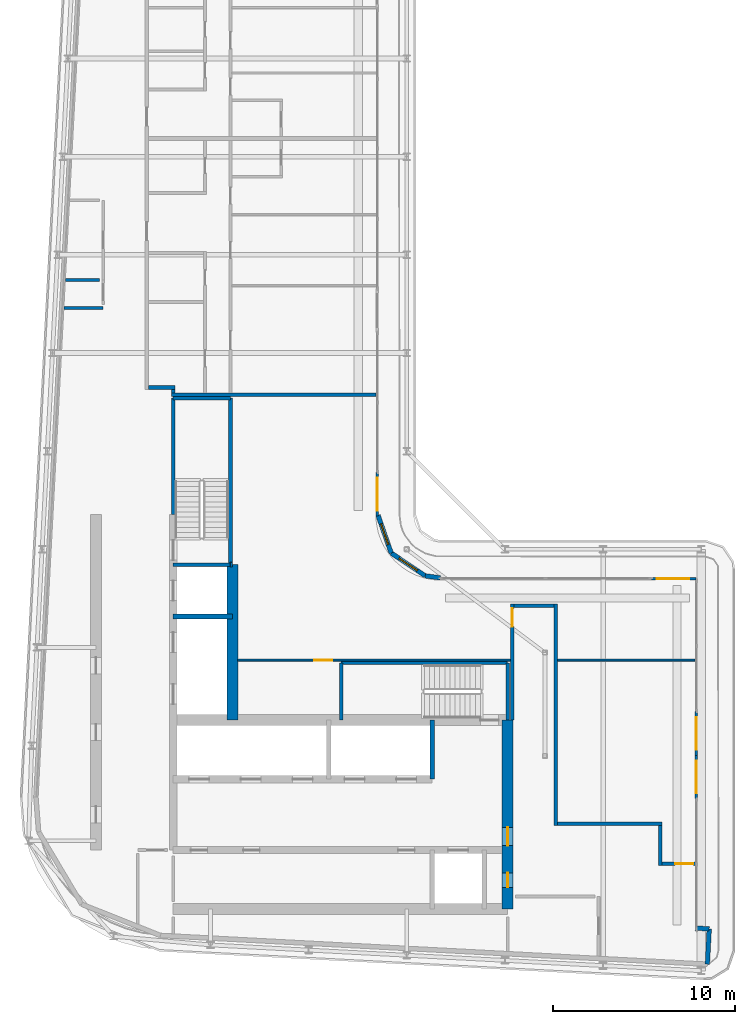
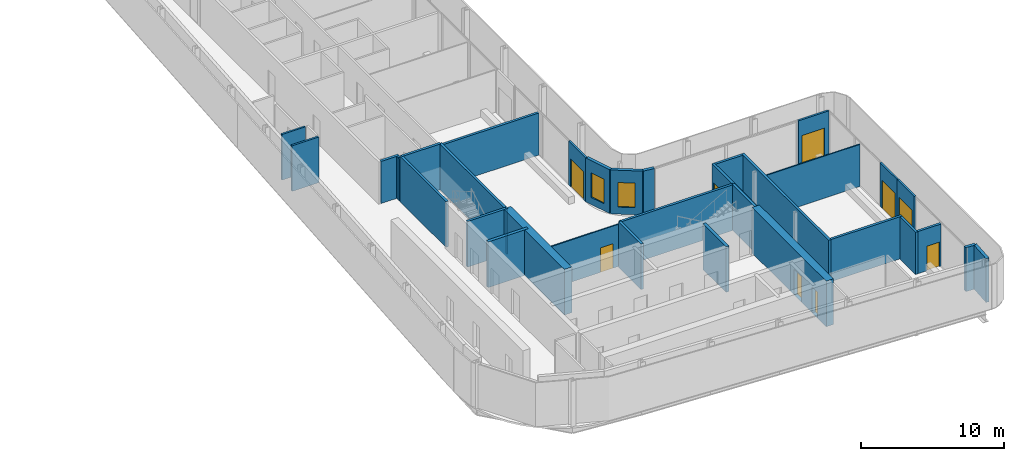
# One storey, part 12 of 21: 34 walls, 9 doors, 2 windows, 11 openings.
"""IFC4 building model written with IfcOpenShell, lengths in metres."""

import ifcopenshell
import ifcopenshell.guid

model = None  # the IFC model being written
_history = None  # IfcOwnerHistory: only IFC2X3 demands one
_inside = {}  # id of a spatial element -> (the spatial element, [elements in it])
_under = {}  # id of a project, library or spatial element -> (it, [spatial elements below it])
_declared = {}  # id of a project -> (the project, [libraries it declares])
_typed = {}  # id of a type object -> (the type object, [elements of that type])
_made_of = {}  # id of a material, layer set ... -> (it, [elements and type objects made of it])


def new_model(schema):
    """Start an empty IFC model of exactly this schema.

    Asked for "IFC4X3", IfcOpenShell would pick the latest addendum, in which some entities
    have other attributes; the version numbers below select the first issue.
    IFC2X3 requires an IfcOwnerHistory on every rooted entity: one is made here for all.
    """
    global model, _history
    if schema == "IFC4X3":
        model = ifcopenshell.file(schema_version=(4, 3, 0, 0))
    else:
        model = ifcopenshell.file(schema=schema)
    _inside.clear()
    _under.clear()
    _declared.clear()
    _typed.clear()
    _made_of.clear()
    _history = None
    if model.schema == "IFC2X3":
        org = make("IfcOrganization", Name="unknown")
        user = make(
            "IfcPersonAndOrganization",
            ThePerson=make("IfcPerson", FamilyName="unknown"),
            TheOrganization=org,
        )
        app = make(
            "IfcApplication",
            ApplicationDeveloper=org,
            Version="unknown",
            ApplicationFullName="unknown",
            ApplicationIdentifier="unknown",
        )
        _history = make(
            "IfcOwnerHistory",
            OwningUser=user,
            OwningApplication=app,
            ChangeAction="ADDED",
            CreationDate=0,
        )
    return model


def make(cls, **values):
    """One entity of the class cls with the attributes given. An attribute that is None is left unset."""
    return model.create_entity(
        cls, **{name: value for name, value in values.items() if value is not None}
    )


def rooted(cls, **values):
    """An entity with a GlobalId (a new one), such as an element, a storey or a relation."""
    return make(cls, GlobalId=ifcopenshell.guid.new(), OwnerHistory=_history, **values)


def si_unit(unit_type, name, prefix=None):
    """IfcSIUnit, for example si_unit("LENGTHUNIT", "METRE", prefix="MILLI")."""
    return make("IfcSIUnit", UnitType=unit_type, Prefix=prefix, Name=name)


def assignment(units):
    """IfcUnitAssignment: the units of a project."""
    return None if units is None else make("IfcUnitAssignment", Units=units)


def point(xyz):
    """IfcCartesianPoint."""
    return None if xyz is None else make("IfcCartesianPoint", Coordinates=xyz)


def direction(xyz):
    """IfcDirection."""
    return None if xyz is None else make("IfcDirection", DirectionRatios=xyz)


def frame(location, z_axis=None, x_axis=None):
    """IfcAxis2Placement3D, a coordinate frame: its origin and axes. An axis left out is left unset."""
    return make(
        "IfcAxis2Placement3D",
        Location=point(location),
        Axis=direction(z_axis),
        RefDirection=direction(x_axis),
    )


def frame_2d(location, x_axis=None):
    """IfcAxis2Placement2D, a coordinate frame in the plane: its origin and x axis."""
    return make(
        "IfcAxis2Placement2D", Location=point(location), RefDirection=direction(x_axis)
    )


def origin():
    """The frame at (0, 0, 0) with its axes left unset."""
    return frame((0.0, 0.0, 0.0))


def place(relative_to, where):
    """IfcLocalPlacement: puts the frame where relative to a parent placement (None: the world)."""
    return make(
        "IfcLocalPlacement", PlacementRelTo=relative_to, RelativePlacement=where
    )


def context(
    kind, dimensions, precision=None, world=None, true_north=None, identifier=None
):
    """IfcGeometricRepresentationContext, for example the 3D "Model" context."""
    return make(
        "IfcGeometricRepresentationContext",
        ContextIdentifier=identifier,
        ContextType=kind,
        CoordinateSpaceDimension=dimensions,
        Precision=precision,
        WorldCoordinateSystem=world,
        TrueNorth=true_north,
    )


def subcontext(parent, identifier, kind, view, scale=None):
    """IfcGeometricRepresentationSubContext, for example "Body" below "Model"."""
    return make(
        "IfcGeometricRepresentationSubContext",
        ContextIdentifier=identifier,
        ContextType=kind,
        ParentContext=parent,
        TargetScale=scale,
        TargetView=view,
    )


def project(units=None, contexts=None):
    """IfcProject with its units and contexts."""
    return rooted(
        "IfcProject",
        Name="project",
        RepresentationContexts=contexts,
        UnitsInContext=assignment(units),
    )


def spatial(cls, under=None, at=None, **own):
    """A site, building, storey or space (cls), placed at a placement, below another one or the project."""
    s = rooted(cls, ObjectPlacement=at, **own)
    if under is not None:
        _under.setdefault(under.id(), (under, []))[1].append(s)
    return s


def profile(cls, at=None, kind="AREA", **sizes):
    """A parametric profile (cls). Its sizes go by their IFC names, for example OverallWidth=200.0."""
    return make(cls, ProfileType=kind, Position=at, **sizes)


def rectangle(**sizes):
    """IfcRectangleProfileDef."""
    return profile("IfcRectangleProfileDef", **sizes)


def extrude(swept, where, along, depth):
    """IfcExtrudedAreaSolid: the profile swept, set in the frame where, extruded along a direction by depth."""
    return make(
        "IfcExtrudedAreaSolid",
        SweptArea=swept,
        Position=where,
        ExtrudedDirection=direction(along),
        Depth=depth,
    )


def shape(context_of_items, identifier, shape_type, items):
    """IfcShapeRepresentation: the items that make up one representation, for example the "Body"."""
    return make(
        "IfcShapeRepresentation",
        ContextOfItems=context_of_items,
        RepresentationIdentifier=identifier,
        RepresentationType=shape_type,
        Items=items,
    )


def source(mapping_origin, context_of_items, identifier, shape_type, items):
    """IfcRepresentationMap: a shape defined once, which mapped items show again and again."""
    return make(
        "IfcRepresentationMap",
        MappingOrigin=mapping_origin,
        MappedRepresentation=shape(context_of_items, identifier, shape_type, items),
    )


def transform(
    local_origin,
    x_axis=None,
    y_axis=None,
    z_axis=None,
    scale=None,
    scale2=None,
    scale3=None,
    uniform=True,
):
    """IfcCartesianTransformationOperator3D, or its non-uniform kind. x_axis, y_axis, z_axis: its Axis1, 2, 3."""
    if uniform:
        return make(
            "IfcCartesianTransformationOperator3D",
            Axis1=direction(x_axis),
            Axis2=direction(y_axis),
            LocalOrigin=point(local_origin),
            Scale=scale,
            Axis3=direction(z_axis),
        )
    return make(
        "IfcCartesianTransformationOperator3DnonUniform",
        Axis1=direction(x_axis),
        Axis2=direction(y_axis),
        LocalOrigin=point(local_origin),
        Scale=scale,
        Axis3=direction(z_axis),
        Scale2=scale2,
        Scale3=scale3,
    )


def mapped(mapping_source, mapping_target):
    """IfcMappedItem: shows the shape of a source again, moved by a transform."""
    return make(
        "IfcMappedItem", MappingSource=mapping_source, MappingTarget=mapping_target
    )


def material(Name=None, Category=None):
    """IfcMaterial."""
    return make("IfcMaterial", Name=Name, Category=Category)


def layer(
    of_material, thickness, ventilated=None, Name=None, Category=None, Priority=None
):
    """IfcMaterialLayer: one layer of a wall or slab, of a material (None: an air gap)."""
    return make(
        "IfcMaterialLayer",
        Material=of_material,
        LayerThickness=thickness,
        IsVentilated=ventilated,
        Name=Name,
        Category=Category,
        Priority=Priority,
    )


def layer_set(layers, Name=None):
    """IfcMaterialLayerSet."""
    return make("IfcMaterialLayerSet", MaterialLayers=layers, LayerSetName=Name)


def made_of(thing, what):
    """Note that an element or type object is made of a material, layer set ...; save() writes the relation."""
    if what is not None:
        _made_of.setdefault(what.id(), (what, []))[1].append(thing)
    return thing


def type_object(cls, material=None, **own):
    """A type object (cls), such as IfcWallType, which elements share."""
    return made_of(rooted(cls, **own), material)


def element(
    cls,
    number,
    at=None,
    inside=None,
    cuts=None,
    type_object=None,
    material=None,
    context=None,
    identifier="Body",
    shape_type=None,
    held_by="IfcProductDefinitionShape",
    body=None,
    shapes=None,
    **own,
):
    """One element of the class cls, such as IfcWall. Its Tag is "e" and its number.

    at: its placement. inside: the storey or other place that contains it. cuts: it is an
    opening in that element (IfcRelVoidsElement). A single representation is given by context,
    identifier, shape_type and body (its items); several are given by shapes. held_by: the class
    of the entity that holds the representations. save() writes the other relations.
    """
    e = rooted(cls, Tag="e%d" % number, ObjectPlacement=at, **own)
    if body is not None:
        shapes = [shape(context, identifier, shape_type, body)]
    if shapes is not None:
        e.Representation = make(held_by, Representations=shapes)
    if inside is not None:
        _inside.setdefault(inside.id(), (inside, []))[1].append(e)
    if cuts is not None:
        rooted(
            "IfcRelVoidsElement", RelatingBuildingElement=cuts, RelatedOpeningElement=e
        )
    if type_object is not None:
        _typed.setdefault(type_object.id(), (type_object, []))[1].append(e)
    return made_of(e, material)


def fill(opening, filler):
    """IfcRelFillsElement: the door or window that sits in an opening."""
    return rooted(
        "IfcRelFillsElement",
        RelatingOpeningElement=opening,
        RelatedBuildingElement=filler,
    )


def aggregate(whole, parts):
    """IfcRelAggregates: a whole, such as a stair, and the parts it consists of."""
    return rooted("IfcRelAggregates", RelatingObject=whole, RelatedObjects=parts)


def save(model, path):
    """Write the relations noted so far, then the file.

    IfcRelAggregates (storeys below a building ...), IfcRelContainedInSpatialStructure (elements
    in a storey), IfcRelDefinesByType, IfcRelAssociatesMaterial and IfcRelDeclares: one each for
    every whole, place, type object, material and project.
    """
    for whole, parts in _under.values():
        aggregate(whole, parts)
    for where, things in _inside.values():
        rooted(
            "IfcRelContainedInSpatialStructure",
            RelatedElements=things,
            RelatingStructure=where,
        )
    for kind, things in _typed.values():
        rooted("IfcRelDefinesByType", RelatedObjects=things, RelatingType=kind)
    for what, things in _made_of.values():
        rooted("IfcRelAssociatesMaterial", RelatedObjects=things, RelatingMaterial=what)
    for by, libraries in _declared.values():
        rooted("IfcRelDeclares", RelatingContext=by, RelatedDefinitions=libraries)
    model.write(path)


model = new_model("IFC4")

# Units and contexts
model_context = context("Model", 3, precision=1e-05, world=origin(), true_north=direction((0.0, 1.0)))
body_context = subcontext(model_context, "Body", "Model", "MODEL_VIEW")
ifc_project = project(units=[si_unit("LENGTHUNIT", "METRE"), si_unit("AREAUNIT", "SQUARE_METRE"), si_unit("VOLUMEUNIT", "CUBIC_METRE"), si_unit("PLANEANGLEUNIT", "RADIAN"), si_unit("MASSUNIT", "GRAM", prefix="KILO")], contexts=[model_context])

# Site, building, storey
site_placement = place(None, origin())
site = spatial("IfcSite", under=ifc_project, at=site_placement, CompositionType="ELEMENT")
building_placement = place(site_placement, origin())
building = spatial("IfcBuilding", under=site, at=building_placement, Name="Kheshtan School and Residences Tower", CompositionType="ELEMENT")
storey_placement = place(building_placement, frame((0.0, 0.0, 282.5)))
storey = spatial("IfcBuildingStorey", under=building, at=storey_placement, Name="L66", CompositionType="ELEMENT", Elevation=282.5)

# Wall
ifc_material_1 = material(Name="Concrete C60/75", Category="concrete")
ifc_layer_1 = layer(ifc_material_1, 0.60009765625)
ifc_layer_set_1 = layer_set([ifc_layer_1], Name="Core wall 600 Concrete C60/75")
wall_type_1 = type_object("IfcWallType", Name="Core wall 600 Concrete C60/75", PredefinedType="SHEAR", material=ifc_layer_set_1)
wall_1_placement = place(storey_placement, frame((38.0, 36.199951171875, 0.0), z_axis=(0.0, 0.0, 1.0), x_axis=(0.0, 1.0, 0.0)))
element("IfcWall", 1, at=wall_1_placement, inside=storey, type_object=wall_type_1, Name="Core wall CW-FRONT-W", PredefinedType="SHEAR", context=body_context, shape_type="SweptSolid", body=[
    extrude(rectangle(XDim=8.550048828125, YDim=0.60009765625, at=frame_2d((4.27490234375, 0.0))), origin(), (0.0, 0.0, 1.0), 3.89990234375),
])

# Wall, openings, doors
wall_2_placement = place(storey_placement, frame((53.14990234375, 25.800048828125, 0.0), z_axis=(0.0, 0.0, 1.0), x_axis=(0.0, 1.0, 0.0)))
wall_2 = element("IfcWall", 2, at=wall_2_placement, inside=storey, type_object=wall_type_1, Name="Core wall CW-EAST", PredefinedType="SHEAR", context=body_context, shape_type="SweptSolid", body=[
    extrude(rectangle(XDim=10.39990234375, YDim=0.60009765625, at=frame_2d((5.199951171875, 0.0))), origin(), (0.0, 0.0, 1.0), 3.89990234375),
])
opening_1_placement = place(wall_2_placement, frame((1.197021484375, 0.0, 0.0)))
opening_1 = element("IfcOpeningElement", 3, at=opening_1_placement, cuts=wall_2, Name="Opening SR80", PredefinedType="OPENING", context=body_context, shape_type="SweptSolid", body=[
    extrude(rectangle(XDim=0.800048828125, YDim=2.199951171875, at=frame_2d((0.39990234375, 1.10009765625))), frame((0.0, 0.31005859375, 0.0), z_axis=(0.0, -1.0, 0.0), x_axis=(1.0, 0.0, 0.0)), (0.0, 0.0, 1.0), 0.6201171875),
])
opening_2_placement = place(wall_2_placement, frame((3.5, 0.0, 0.0)))
opening_2 = element("IfcOpeningElement", 4, at=opening_2_placement, cuts=wall_2, Name="Opening SD91", PredefinedType="OPENING", context=body_context, shape_type="SweptSolid", body=[
    extrude(rectangle(XDim=1.0, YDim=2.199951171875, at=frame_2d((0.5, 1.10009765625))), frame((0.0, 0.31005859375, 0.0), z_axis=(0.0, -1.0, 0.0), x_axis=(1.0, 0.0, 0.0)), (0.0, 0.0, 1.0), 0.6201171875),
])
ifc_material_2 = material(Name="Steel door leaf, galvanised", Category="steel")
door_type_1 = type_object("IfcDoorType", Name="Service room door 800 steel 90 min", OperationType="SINGLE_SWING_LEFT", PredefinedType="DOOR", material=ifc_material_2)
shared_shape_1 = source(origin(), body_context, "Body", "SweptSolid", [
    extrude(rectangle(XDim=0.800048828125, YDim=2.199951171875, at=frame_2d((0.39990234375, 1.10009765625))), frame((0.0, 0.02490234375, 0.0), z_axis=(0.0, -1.0, 0.0), x_axis=(1.0, 0.0, 0.0)), (0.0, 0.0, 1.0), 0.050048828125),
])
door_1_placement = place(opening_1_placement, origin())
door_1 = element("IfcDoor", 5, at=door_1_placement, inside=storey, type_object=door_type_1, Name="Service room door", OperationType="SINGLE_SWING_LEFT", OverallHeight=2.199951171875, OverallWidth=0.800048828125, PredefinedType="DOOR", context=body_context, shape_type="MappedRepresentation", body=[
    mapped(shared_shape_1, transform((0.0, 0.0, 0.0), x_axis=(1.0, 0.0, 0.0), y_axis=(0.0, 1.0, 0.0), z_axis=(0.0, 0.0, 1.0), scale=1.0)),
])
fill(opening_1, door_1)
door_type_2 = type_object("IfcDoorType", Name="Firefighting lobby door 1000 steel 90 min", OperationType="SINGLE_SWING_LEFT", PredefinedType="DOOR", material=ifc_material_2)
shared_shape_2 = source(origin(), body_context, "Body", "SweptSolid", [
    extrude(rectangle(XDim=1.0, YDim=2.199951171875, at=frame_2d((0.5, 1.10009765625))), frame((0.0, 0.02490234375, 0.0), z_axis=(0.0, -1.0, 0.0), x_axis=(1.0, 0.0, 0.0)), (0.0, 0.0, 1.0), 0.050048828125),
])
door_2_placement = place(opening_2_placement, origin())
door_2 = element("IfcDoor", 6, at=door_2_placement, inside=storey, type_object=door_type_2, Name="Firefighting lobby door", OperationType="SINGLE_SWING_LEFT", OverallHeight=2.199951171875, OverallWidth=1.0, PredefinedType="DOOR", context=body_context, shape_type="MappedRepresentation", body=[
    mapped(shared_shape_2, transform((0.0, 0.0, 0.0), x_axis=(1.0, 0.0, 0.0), y_axis=(0.0, 1.0, 0.0), z_axis=(0.0, 0.0, 1.0), scale=1.0)),
])
fill(opening_2, door_2)

# Walls
ifc_material_3 = material(Name="Gypsum board on steel studs with fire boards", Category="steel")
ifc_layer_2 = layer(ifc_material_3, 0.199951171875)
ifc_layer_set_2 = layer_set([ifc_layer_2], Name="Corridor wall 200")
wall_type_2 = type_object("IfcWallType", Name="Corridor wall 200", PredefinedType="PARTITIONING", material=ifc_layer_set_2)
wall_3_placement = place(storey_placement, frame((33.39990234375, 54.5, 0.0), z_axis=(0.0, 0.0, 1.0), x_axis=(1.0, 0.0, 0.0)))
element("IfcWall", 7, at=wall_3_placement, inside=storey, type_object=wall_type_2, Name="Partition L66-005", PredefinedType="PARTITIONING", context=body_context, shape_type="SweptSolid", body=[
    extrude(rectangle(XDim=1.4501953125, YDim=0.199951171875, at=frame_2d((0.72509765625, 0.0))), origin(), (0.0, 0.0, 1.0), 3.60009765625),
])
wall_4_placement = place(storey_placement, frame((34.75, 54.199951171875, 0.0), z_axis=(0.0, 0.0, 1.0), x_axis=(0.0, 1.0, 0.0)))
element("IfcWall", 8, at=wall_4_placement, inside=storey, type_object=wall_type_2, Name="Partition L66-017", PredefinedType="PARTITIONING", context=body_context, shape_type="SweptSolid", body=[
    extrude(rectangle(XDim=0.199951171875, YDim=0.199951171875, at=frame_2d((0.10009765625, 0.0))), origin(), (0.0, 0.0, 1.0), 3.60009765625),
])

# Wall, opening, door
wall_5_placement = place(storey_placement, frame((53.39990234375, 36.198974609375, 0.0), z_axis=(0.0, 0.0, 1.0), x_axis=(0.0, 1.0, 0.0)))
wall_5 = element("IfcWall", 9, at=wall_5_placement, inside=storey, type_object=wall_type_2, Name="Partition L66-039", PredefinedType="PARTITIONING", context=body_context, shape_type="SweptSolid", body=[
    extrude(rectangle(XDim=6.401123046875, YDim=0.199951171875, at=frame_2d((3.20068359375, 0.0))), origin(), (0.0, 0.0, 1.0), 3.60009765625),
])
opening_3_placement = place(wall_5_placement, frame((5.15087890625, 0.0, 0.0)))
opening_3 = element("IfcOpeningElement", 10, at=opening_3_placement, cuts=wall_5, Name="Opening D66-029", PredefinedType="OPENING", context=body_context, shape_type="SweptSolid", body=[
    extrude(rectangle(XDim=1.0, YDim=2.10009765625, at=frame_2d((0.5, 1.050048828125))), frame((0.0, 0.10986328125, 0.0), z_axis=(0.0, -1.0, 0.0), x_axis=(1.0, 0.0, 0.0)), (0.0, 0.0, 1.0), 0.219970703125),
])
ifc_material_4 = material(Name="Steel-framed fire-resisting door leaf", Category="steel")
door_type_3 = type_object("IfcDoorType", Name="Fire door FD60 1000 x 2100", OperationType="SINGLE_SWING_LEFT", PredefinedType="DOOR", material=ifc_material_4)
shared_shape_3 = source(origin(), body_context, "Body", "SweptSolid", [
    extrude(rectangle(XDim=1.0, YDim=2.10009765625, at=frame_2d((0.5, 1.050048828125))), frame((0.0, 0.02490234375, 0.0), z_axis=(0.0, -1.0, 0.0), x_axis=(1.0, 0.0, 0.0)), (0.0, 0.0, 1.0), 0.050048828125),
])
door_3_placement = place(opening_3_placement, origin())
door_3 = element("IfcDoor", 11, at=door_3_placement, inside=storey, type_object=door_type_3, Name="Door D66-029", OperationType="SINGLE_SWING_RIGHT", OverallHeight=2.10009765625, OverallWidth=1.0, PredefinedType="DOOR", context=body_context, shape_type="MappedRepresentation", body=[
    mapped(shared_shape_3, transform((0.0, 0.0, 0.0), x_axis=(1.0, 0.0, 0.0), y_axis=(0.0, 1.0, 0.0), z_axis=(0.0, 0.0, 1.0), scale=1.0)),
])
fill(opening_3, door_3)

# Walls
wall_6_placement = place(storey_placement, frame((53.5, 42.5, 0.0), z_axis=(0.0, 0.0, 1.0), x_axis=(1.0, 0.0, 0.0)))
element("IfcWall", 12, at=wall_6_placement, inside=storey, type_object=wall_type_2, Name="Partition L66-040", PredefinedType="PARTITIONING", context=body_context, shape_type="SweptSolid", body=[
    extrude(rectangle(XDim=2.199951171875, YDim=0.199951171875, at=frame_2d((1.10009765625, 0.0))), origin(), (0.0, 0.0, 1.0), 3.60009765625),
])
wall_7_placement = place(storey_placement, frame((55.800048828125, 30.39990234375, 0.0), z_axis=(0.0, 0.0, 1.0), x_axis=(0.0, 1.0, 0.0)))
element("IfcWall", 13, at=wall_7_placement, inside=storey, type_object=wall_type_2, Name="Partition L66-041", PredefinedType="PARTITIONING", context=body_context, shape_type="SweptSolid", body=[
    extrude(rectangle(XDim=12.2001953125, YDim=0.199951171875, at=frame_2d((6.10009765625, 0.0))), origin(), (0.0, 0.0, 1.0), 3.60009765625),
])
wall_8_placement = place(storey_placement, frame((55.89990234375, 30.5, 0.0), z_axis=(0.0, 0.0, 1.0), x_axis=(1.0, 0.0, 0.0)))
element("IfcWall", 14, at=wall_8_placement, inside=storey, type_object=wall_type_2, Name="Partition L66-042", PredefinedType="PARTITIONING", context=body_context, shape_type="SweptSolid", body=[
    extrude(rectangle(XDim=5.75, YDim=0.199951171875, at=frame_2d((2.875, 0.0))), origin(), (0.0, 0.0, 1.0), 3.60009765625),
])
wall_9_placement = place(storey_placement, frame((61.550048828125, 28.199951171875, 0.0), z_axis=(0.0, 0.0, 1.0), x_axis=(0.0, 1.0, 0.0)))
element("IfcWall", 15, at=wall_9_placement, inside=storey, type_object=wall_type_2, Name="Partition L66-044", PredefinedType="PARTITIONING", context=body_context, shape_type="SweptSolid", body=[
    extrude(rectangle(XDim=2.199951171875, YDim=0.199951171875, at=frame_2d((1.10009765625, 0.0))), origin(), (0.0, 0.0, 1.0), 3.60009765625),
])

# Wall, opening, door
wall_10_placement = place(storey_placement, frame((61.64990234375, 28.300048828125, 0.0), z_axis=(0.0, 0.0, 1.0), x_axis=(1.0, 0.0, 0.0)))
wall_10 = element("IfcWall", 16, at=wall_10_placement, inside=storey, type_object=wall_type_2, Name="Partition L66-045", PredefinedType="PARTITIONING", context=body_context, shape_type="SweptSolid", body=[
    extrude(rectangle(XDim=1.8701171875, YDim=0.199951171875, at=frame_2d((0.93505859375, 0.0))), origin(), (0.0, 0.0, 1.0), 3.60009765625),
])
opening_4_placement = place(wall_10_placement, frame((0.719970703125, 0.0, 0.0)))
opening_4 = element("IfcOpeningElement", 17, at=opening_4_placement, cuts=wall_10, Name="Opening D66-027", PredefinedType="OPENING", context=body_context, shape_type="SweptSolid", body=[
    extrude(rectangle(XDim=1.0, YDim=2.10009765625, at=frame_2d((0.5, 1.050048828125))), frame((0.0, 0.10986328125, 0.0), z_axis=(0.0, -1.0, 0.0), x_axis=(1.0, 0.0, 0.0)), (0.0, 0.0, 1.0), 0.219970703125),
])
door_4_placement = place(opening_4_placement, origin())
door_4 = element("IfcDoor", 18, at=door_4_placement, inside=storey, type_object=door_type_3, Name="Door D66-027", OperationType="SINGLE_SWING_LEFT", OverallHeight=2.10009765625, OverallWidth=1.0, PredefinedType="DOOR", context=body_context, shape_type="MappedRepresentation", body=[
    mapped(shared_shape_3, transform((0.0, 0.0, 0.0), x_axis=(1.0, 0.0, 0.0), y_axis=(0.0, 1.0, 0.0), z_axis=(0.0, 0.0, 1.0), scale=1.0)),
])
fill(opening_4, door_4)

# Wall, opening, window
ifc_material_5 = material(Name="Concrete C40/50 with ceramic cladding and mineral wool insulation", Category="concrete")
ifc_layer_3 = layer(ifc_material_5, 0.25)
ifc_layer_set_3 = layer_set([ifc_layer_3], Name="External wall 250 ceramic clad")
wall_type_3 = type_object("IfcWallType", Name="External wall 250 ceramic clad", PredefinedType="SOLIDWALL", material=ifc_layer_set_3)
wall_11_placement = place(storey_placement, frame((46.01806640625, 47.470947265625, 0.0), z_axis=(0.0, 0.0, 1.0), x_axis=(0.328791208903, -0.944402637093, 0.0)))
wall_11 = element("IfcWall", 19, at=wall_11_placement, inside=storey, type_object=wall_type_3, Name="External wall L66 9", PredefinedType="SOLIDWALL", context=body_context, shape_type="SweptSolid", body=[
    extrude(rectangle(XDim=2.20458984375, YDim=0.25, at=frame_2d((1.102294921875, 0.0))), origin(), (0.0, 0.0, 1.0), 3.75),
])
opening_5_placement = place(wall_11_placement, frame((0.5029296875, 0.0, 0.60009765625)))
opening_5 = element("IfcOpeningElement", 20, at=opening_5_placement, cuts=wall_11, Name="Opening WN-E", PredefinedType="OPENING", context=body_context, shape_type="SweptSolid", body=[
    extrude(rectangle(XDim=1.199951171875, YDim=2.10009765625, at=frame_2d((0.60009765625, 1.050048828125))), frame((0.0, 0.135009765625, 0.0), z_axis=(0.0, -1.0, 0.0), x_axis=(1.0, 0.0, 0.0)), (0.0, 0.0, 1.0), 0.27001953125),
])
ifc_material_6 = material(Name="Clear low-e glass in thermally broken aluminium frame", Category="aluminium")
window_type = type_object("IfcWindowType", Name="Window WN-E", PartitioningType="SINGLE_PANEL", PredefinedType="WINDOW", material=ifc_material_6)
shared_shape_4 = source(origin(), body_context, "Body", "SweptSolid", [
    extrude(rectangle(XDim=1.199951171875, YDim=2.10009765625, at=frame_2d((0.60009765625, 1.050048828125))), frame((0.0, 0.030029296875, 0.0), z_axis=(0.0, -1.0, 0.0), x_axis=(1.0, 0.0, 0.0)), (0.0, 0.0, 1.0), 0.06005859375),
])
window_1_placement = place(opening_5_placement, origin())
window_1 = element("IfcWindow", 21, at=window_1_placement, inside=storey, type_object=window_type, Name="Window L66 9", OverallHeight=2.10009765625, OverallWidth=1.199951171875, PartitioningType="SINGLE_PANEL", PredefinedType="WINDOW", context=body_context, shape_type="MappedRepresentation", body=[
    mapped(shared_shape_4, transform((0.0, 0.0, 0.0), x_axis=(1.0, 0.0, 0.0), y_axis=(0.0, 1.0, 0.0), z_axis=(0.0, 0.0, 1.0), scale=1.0)),
])
fill(opening_5, window_1)

wall_12_placement = place(storey_placement, frame((46.742919921875, 45.388916015625, 0.0), z_axis=(0.0, 0.0, 1.0), x_axis=(0.831449265529, -0.555600682912, 0.0)))
wall_12 = element("IfcWall", 22, at=wall_12_placement, inside=storey, type_object=wall_type_3, Name="External wall L66 10", PredefinedType="SOLIDWALL", context=body_context, shape_type="SweptSolid", body=[
    extrude(rectangle(XDim=2.25146484375, YDim=0.25, at=frame_2d((1.125732421875, 0.0))), origin(), (0.0, 0.0, 1.0), 3.75),
])
opening_6_placement = place(wall_12_placement, frame((0.52490234375, 0.0, 0.60009765625)))
opening_6 = element("IfcOpeningElement", 23, at=opening_6_placement, cuts=wall_12, Name="Opening WN-E", PredefinedType="OPENING", context=body_context, shape_type="SweptSolid", body=[
    extrude(rectangle(XDim=1.199951171875, YDim=2.10009765625, at=frame_2d((0.60009765625, 1.050048828125))), frame((0.0, 0.135009765625, 0.0), z_axis=(0.0, -1.0, 0.0), x_axis=(1.0, 0.0, 0.0)), (0.0, 0.0, 1.0), 0.27001953125),
])
window_2_placement = place(opening_6_placement, origin())
window_2 = element("IfcWindow", 24, at=window_2_placement, inside=storey, type_object=window_type, Name="Window L66 10", OverallHeight=2.10009765625, OverallWidth=1.199951171875, PartitioningType="SINGLE_PANEL", PredefinedType="WINDOW", context=body_context, shape_type="MappedRepresentation", body=[
    mapped(shared_shape_4, transform((0.0, 0.0, 0.0), x_axis=(1.0, 0.0, 0.0), y_axis=(0.0, 1.0, 0.0), z_axis=(0.0, 0.0, 1.0), scale=1.0)),
])
fill(opening_6, window_2)

# Walls
wall_13_placement = place(storey_placement, frame((48.614990234375, 44.137939453125, 0.0), z_axis=(0.0, 0.0, 1.0), x_axis=(0.990741504246, -0.135761819977, 0.0)))
element("IfcWall", 25, at=wall_13_placement, inside=storey, type_object=wall_type_3, Name="External wall L66 11", PredefinedType="SOLIDWALL", context=body_context, shape_type="SweptSolid", body=[
    extrude(rectangle(XDim=0.83984375, YDim=0.25, at=frame_2d((0.419921875, 0.0))), origin(), (0.0, 0.0, 1.0), 3.75),
])
wall_14_placement = place(storey_placement, frame((63.45703125, 24.758056640625, 0.0), z_axis=(0.0, 0.0, 1.0), x_axis=(0.998561284263, -0.053622398031, 0.0)))
element("IfcWall", 26, at=wall_14_placement, inside=storey, type_object=wall_type_3, Name="External wall L66 14", PredefinedType="SOLIDWALL", context=body_context, shape_type="SweptSolid", body=[
    extrude(rectangle(XDim=0.783203125, YDim=0.25, at=frame_2d((0.3916015625, 0.0))), origin(), (0.0, 0.0, 1.0), 3.75),
])
wall_15_placement = place(storey_placement, frame((64.239013671875, 24.716064453125, 0.0), z_axis=(0.0, 0.0, 1.0), x_axis=(-0.052841433274, -0.998602915542, 0.0)))
element("IfcWall", 27, at=wall_15_placement, inside=storey, type_object=wall_type_3, Name="External wall L66 15", PredefinedType="SOLIDWALL", context=body_context, shape_type="SweptSolid", body=[
    extrude(rectangle(XDim=1.94970703125, YDim=0.25, at=frame_2d((0.974853515625, 0.0))), origin(), (0.0, 0.0, 1.0), 3.75),
])

# Wall, opening, door
ifc_material_7 = material(Name="Aluminium frame wall with insulated infill", Category="aluminium")
ifc_layer_4 = layer(ifc_material_7, 0.14990234375)
ifc_layer_set_4 = layer_set([ifc_layer_4], Name="Glazing frame wall 150")
wall_type_4 = type_object("IfcWallType", Name="Glazing frame wall 150", PredefinedType="SOLIDWALL", material=ifc_layer_set_4)
wall_16_placement = place(storey_placement, frame((45.97509765625, 49.830078125, 0.0), z_axis=(0.0, 0.0, 1.0), x_axis=(0.0, -1.0, 0.0)))
wall_16 = element("IfcWall", 28, at=wall_16_placement, inside=storey, type_object=wall_type_4, Name="Balcony door wall L66 8.5", PredefinedType="SOLIDWALL", context=body_context, shape_type="SweptSolid", body=[
    extrude(rectangle(XDim=2.400146484375, YDim=0.14990234375, at=frame_2d((1.2001953125, 0.0))), origin(), (0.0, 0.0, 1.0), 3.75),
])
opening_7_placement = place(wall_16_placement, frame((0.300048828125, 0.0, 0.0)))
opening_7 = element("IfcOpeningElement", 29, at=opening_7_placement, cuts=wall_16, Name="Opening BD", PredefinedType="OPENING", context=body_context, shape_type="SweptSolid", body=[
    extrude(rectangle(XDim=1.800048828125, YDim=2.39990234375, at=frame_2d((0.89990234375, 1.199951171875))), frame((0.0, 0.0849609375, 0.0), z_axis=(0.0, -1.0, 0.0), x_axis=(1.0, 0.0, 0.0)), (0.0, 0.0, 1.0), 0.169921875),
])
door_type_4 = type_object("IfcDoorType", Name="Balcony sliding door", OperationType="SLIDING_TO_LEFT", PredefinedType="DOOR", material=ifc_material_6)
shared_shape_5 = source(origin(), body_context, "Body", "SweptSolid", [
    extrude(rectangle(XDim=1.800048828125, YDim=2.39990234375, at=frame_2d((0.89990234375, 1.199951171875))), frame((0.0, 0.02490234375, 0.0), z_axis=(0.0, -1.0, 0.0), x_axis=(1.0, 0.0, 0.0)), (0.0, 0.0, 1.0), 0.050048828125),
])
door_5_placement = place(opening_7_placement, origin())
door_5 = element("IfcDoor", 30, at=door_5_placement, inside=storey, type_object=door_type_4, Name="Balcony door L66 8.5", OperationType="SLIDING_TO_LEFT", OverallHeight=2.39990234375, OverallWidth=1.800048828125, PredefinedType="DOOR", context=body_context, shape_type="MappedRepresentation", body=[
    mapped(shared_shape_5, transform((0.0, 0.0, 0.0), x_axis=(1.0, 0.0, 0.0), y_axis=(0.0, 1.0, 0.0), z_axis=(0.0, 0.0, 1.0), scale=1.0)),
])
fill(opening_7, door_5)

wall_17_placement = place(storey_placement, frame((61.050048828125, 43.97509765625, 0.0), z_axis=(0.0, 0.0, 1.0), x_axis=(1.0, 0.0, 0.0)))
wall_17 = element("IfcWall", 31, at=wall_17_placement, inside=storey, type_object=wall_type_4, Name="Balcony door wall L66 12.1", PredefinedType="SOLIDWALL", context=body_context, shape_type="SweptSolid", body=[
    extrude(rectangle(XDim=2.469970703125, YDim=0.14990234375, at=frame_2d((1.23486328125, 0.0))), origin(), (0.0, 0.0, 1.0), 3.75),
])
opening_8_placement = place(wall_17_placement, frame((0.300048828125, 0.0, 0.0)))
opening_8 = element("IfcOpeningElement", 32, at=opening_8_placement, cuts=wall_17, Name="Opening BD", PredefinedType="OPENING", context=body_context, shape_type="SweptSolid", body=[
    extrude(rectangle(XDim=1.800048828125, YDim=2.39990234375, at=frame_2d((0.89990234375, 1.199951171875))), frame((0.0, 0.0849609375, 0.0), z_axis=(0.0, -1.0, 0.0), x_axis=(1.0, 0.0, 0.0)), (0.0, 0.0, 1.0), 0.169921875),
])
door_6_placement = place(opening_8_placement, origin())
door_6 = element("IfcDoor", 33, at=door_6_placement, inside=storey, type_object=door_type_4, Name="Balcony door L66 12.1", OperationType="SLIDING_TO_LEFT", OverallHeight=2.39990234375, OverallWidth=1.800048828125, PredefinedType="DOOR", context=body_context, shape_type="MappedRepresentation", body=[
    mapped(shared_shape_5, transform((0.0, 0.0, 0.0), x_axis=(1.0, 0.0, 0.0), y_axis=(0.0, 1.0, 0.0), z_axis=(0.0, 0.0, 1.0), scale=1.0)),
])
fill(opening_8, door_6)

wall_18_placement = place(storey_placement, frame((63.52490234375, 36.666015625, 0.0), z_axis=(0.0, 0.0, 1.0), x_axis=(0.0, -1.0, 0.0)))
wall_18 = element("IfcWall", 34, at=wall_18_placement, inside=storey, type_object=wall_type_4, Name="Balcony door wall L66 13.1", PredefinedType="SOLIDWALL", context=body_context, shape_type="SweptSolid", body=[
    extrude(rectangle(XDim=2.39892578125, YDim=0.14990234375, at=frame_2d((1.199462890625, 0.0))), origin(), (0.0, 0.0, 1.0), 3.75),
])
opening_9_placement = place(wall_18_placement, frame((0.300048828125, 0.0, 0.0)))
opening_9 = element("IfcOpeningElement", 35, at=opening_9_placement, cuts=wall_18, Name="Opening BD", PredefinedType="OPENING", context=body_context, shape_type="SweptSolid", body=[
    extrude(rectangle(XDim=1.800048828125, YDim=2.39990234375, at=frame_2d((0.89990234375, 1.199951171875))), frame((0.0, 0.0849609375, 0.0), z_axis=(0.0, -1.0, 0.0), x_axis=(1.0, 0.0, 0.0)), (0.0, 0.0, 1.0), 0.169921875),
])
door_7_placement = place(opening_9_placement, origin())
door_7 = element("IfcDoor", 36, at=door_7_placement, inside=storey, type_object=door_type_4, Name="Balcony door L66 13.1", OperationType="SLIDING_TO_LEFT", OverallHeight=2.39990234375, OverallWidth=1.800048828125, PredefinedType="DOOR", context=body_context, shape_type="MappedRepresentation", body=[
    mapped(shared_shape_5, transform((0.0, 0.0, 0.0), x_axis=(1.0, 0.0, 0.0), y_axis=(0.0, 1.0, 0.0), z_axis=(0.0, 0.0, 1.0), scale=1.0)),
])
fill(opening_9, door_7)

wall_19_placement = place(storey_placement, frame((63.52490234375, 34.26708984375, 0.0), z_axis=(0.0, 0.0, 1.0), x_axis=(0.0, -1.0, 0.0)))
wall_19 = element("IfcWall", 37, at=wall_19_placement, inside=storey, type_object=wall_type_4, Name="Balcony door wall L66 13.2", PredefinedType="SOLIDWALL", context=body_context, shape_type="SweptSolid", body=[
    extrude(rectangle(XDim=2.401123046875, YDim=0.14990234375, at=frame_2d((1.20068359375, 0.0))), origin(), (0.0, 0.0, 1.0), 3.75),
])
opening_10_placement = place(wall_19_placement, frame((0.300048828125, 0.0, 0.0)))
opening_10 = element("IfcOpeningElement", 38, at=opening_10_placement, cuts=wall_19, Name="Opening BD", PredefinedType="OPENING", context=body_context, shape_type="SweptSolid", body=[
    extrude(rectangle(XDim=1.800048828125, YDim=2.39990234375, at=frame_2d((0.89990234375, 1.199951171875))), frame((0.0, 0.0849609375, 0.0), z_axis=(0.0, -1.0, 0.0), x_axis=(1.0, 0.0, 0.0)), (0.0, 0.0, 1.0), 0.169921875),
])
door_8_placement = place(opening_10_placement, origin())
door_8 = element("IfcDoor", 39, at=door_8_placement, inside=storey, type_object=door_type_4, Name="Balcony door L66 13.2", OperationType="SLIDING_TO_LEFT", OverallHeight=2.39990234375, OverallWidth=1.800048828125, PredefinedType="DOOR", context=body_context, shape_type="MappedRepresentation", body=[
    mapped(shared_shape_5, transform((0.0, 0.0, 0.0), x_axis=(1.0, 0.0, 0.0), y_axis=(0.0, 1.0, 0.0), z_axis=(0.0, 0.0, 1.0), scale=1.0)),
])
fill(opening_10, door_8)

ifc_material_8 = material(Name="Gypsum board on steel studs", Category="steel")
ifc_layer_5 = layer(ifc_material_8, 0.10009765625)
ifc_layer_set_5 = layer_set([ifc_layer_5], Name="Gypsum partition 100")
wall_type_5 = type_object("IfcWallType", Name="Gypsum partition 100", PredefinedType="PARTITIONING", material=ifc_layer_set_5)
wall_20_placement = place(storey_placement, frame((38.299072265625, 39.5, 0.0), z_axis=(0.0, 0.0, 1.0), x_axis=(1.0, 0.0, 0.0)))
wall_20 = element("IfcWall", 40, at=wall_20_placement, inside=storey, type_object=wall_type_5, Name="Partition L66-036", PredefinedType="PARTITIONING", context=body_context, shape_type="SweptSolid", body=[
    extrude(rectangle(XDim=15.0009765625, YDim=0.10009765625, at=frame_2d((7.50048828125, 0.0))), origin(), (0.0, 0.0, 1.0), 3.60009765625),
])
opening_11_placement = place(wall_20_placement, frame((4.197021484375, 0.0, 0.0)))
opening_11 = element("IfcOpeningElement", 41, at=opening_11_placement, cuts=wall_20, Name="Opening D66-028", PredefinedType="OPENING", context=body_context, shape_type="SweptSolid", body=[
    extrude(rectangle(XDim=1.0, YDim=2.10009765625, at=frame_2d((0.5, 1.050048828125))), frame((0.0, 0.06005859375, 0.0), z_axis=(0.0, -1.0, 0.0), x_axis=(1.0, 0.0, 0.0)), (0.0, 0.0, 1.0), 0.1201171875),
])
ifc_material_9 = material(Name="Veneered timber door leaf", Category="wood")
door_type_5 = type_object("IfcDoorType", Name="Door 1000 x 2100", OperationType="SINGLE_SWING_LEFT", PredefinedType="DOOR", material=ifc_material_9)
shared_shape_6 = source(origin(), body_context, "Body", "SweptSolid", [
    extrude(rectangle(XDim=1.0, YDim=2.10009765625, at=frame_2d((0.5, 1.050048828125))), frame((0.0, 0.02490234375, 0.0), z_axis=(0.0, -1.0, 0.0), x_axis=(1.0, 0.0, 0.0)), (0.0, 0.0, 1.0), 0.050048828125),
])
door_9_placement = place(opening_11_placement, origin())
door_9 = element("IfcDoor", 42, at=door_9_placement, inside=storey, type_object=door_type_5, Name="Door D66-028", OperationType="SINGLE_SWING_LEFT", OverallHeight=2.10009765625, OverallWidth=1.0, PredefinedType="DOOR", context=body_context, shape_type="MappedRepresentation", body=[
    mapped(shared_shape_6, transform((0.0, 0.0, 0.0), x_axis=(1.0, 0.0, 0.0), y_axis=(0.0, 1.0, 0.0), z_axis=(0.0, 0.0, 1.0), scale=1.0)),
])
fill(opening_11, door_9)

# Walls
wall_21_placement = place(storey_placement, frame((55.89990234375, 39.5, 0.0), z_axis=(0.0, 0.0, 1.0), x_axis=(1.0, 0.0, 0.0)))
element("IfcWall", 43, at=wall_21_placement, inside=storey, type_object=wall_type_5, Name="Partition L66-043", PredefinedType="PARTITIONING", context=body_context, shape_type="SweptSolid", body=[
    extrude(rectangle(XDim=7.550048828125, YDim=0.10009765625, at=frame_2d((3.77490234375, 0.0))), origin(), (0.0, 0.0, 1.0), 3.60009765625),
])
ifc_material_10 = material(Name="Fire-board shaft wall system")
ifc_layer_6 = layer(ifc_material_10, 0.14990234375)
ifc_layer_set_6 = layer_set([ifc_layer_6], Name="Service room wall 150")
wall_type_6 = type_object("IfcWallType", Name="Service room wall 150", PredefinedType="PARTITIONING", material=ifc_layer_set_6)
wall_22_placement = place(storey_placement, frame((28.738037109375, 58.8720703125, 0.0), z_axis=(0.0, 0.0, 1.0), x_axis=(1.0, 0.0, 0.0)))
element("IfcWall", 44, at=wall_22_placement, inside=storey, type_object=wall_type_6, Name="Service room wall", PredefinedType="PARTITIONING", context=body_context, shape_type="SweptSolid", body=[
    extrude(rectangle(XDim=2.161865234375, YDim=0.14990234375, at=frame_2d((1.0810546875, 0.0))), origin(), (0.0, 0.0, 1.0), 3.89990234375),
])
wall_23_placement = place(storey_placement, frame((28.820068359375, 60.4140625, 0.0), z_axis=(0.0, 0.0, 1.0), x_axis=(1.0, 0.0, 0.0)))
element("IfcWall", 45, at=wall_23_placement, inside=storey, type_object=wall_type_6, Name="Service room wall", PredefinedType="PARTITIONING", context=body_context, shape_type="SweptSolid", body=[
    extrude(rectangle(XDim=1.885009765625, YDim=0.14990234375, at=frame_2d((0.9423828125, 0.0))), origin(), (0.0, 0.0, 1.0), 3.89990234375),
])
ifc_layer_7 = layer(ifc_material_10, 0.25)
ifc_layer_set_7 = layer_set([ifc_layer_7], Name="Shaft lining wall 250")
wall_type_7 = type_object("IfcWallType", Name="Shaft lining wall 250", PredefinedType="PARTITIONING", material=ifc_layer_set_7)
for number, where, z_axis, x_axis, name in (
    (46, (49.0, 32.949951171875, 0.0), (0.0, 0.0, 1.0), (0.0, 1.0, 0.0), "Shaft lining wall"),
    (47, (34.75, 41.89990234375, 0.0), (0.0, 0.0, 1.0), (1.0, 0.0, 0.0), "Shaft lining wall"),
):
    element("IfcWall", number, at=place(storey_placement, frame(where, z_axis=z_axis, x_axis=x_axis)), inside=storey, type_object=wall_type_7, Name=name, PredefinedType="PARTITIONING", context=body_context, shape_type="SweptSolid", body=[
        extrude(rectangle(XDim=3.25, YDim=0.25, at=frame_2d((1.625, 0.0))), origin(), (0.0, 0.0, 1.0), 3.89990234375),
    ])
wall_24_placement = place(storey_placement, frame((37.89990234375, 44.75, 0.0), z_axis=(0.0, 0.0, 1.0), x_axis=(1.0, 0.0, 0.0)))
element("IfcWall", 48, at=wall_24_placement, inside=storey, type_object=wall_type_7, Name="Shaft lining wall", PredefinedType="PARTITIONING", context=body_context, shape_type="SweptSolid", body=[
    extrude(rectangle(XDim=0.10009765625, YDim=0.25, at=frame_2d((0.050048828125, 0.0))), origin(), (0.0, 0.0, 1.0), 3.89990234375),
])
ifc_material_11 = material(Name="Concrete C40/50", Category="concrete")
ifc_layer_8 = layer(ifc_material_11, 0.199951171875)
ifc_layer_set_8 = layer_set([ifc_layer_8], Name="Stair enclosure wall 200 Concrete C40/50")
wall_type_8 = type_object("IfcWallType", Name="Stair enclosure wall 200 Concrete C40/50", PredefinedType="SHEAR", material=ifc_layer_set_8)
wall_25_placement = place(storey_placement, frame((43.989990234375, 39.35009765625, 0.0), z_axis=(0.0, 0.0, 1.0), x_axis=(1.0, 0.0, 0.0)))
element("IfcWall", 49, at=wall_25_placement, inside=storey, type_object=wall_type_8, Name="Stair enclosure wall ST1", PredefinedType="SHEAR", context=body_context, shape_type="SweptSolid", body=[
    extrude(rectangle(XDim=9.159912109375, YDim=0.199951171875, at=frame_2d((4.580078125, 0.0))), origin(), (0.0, 0.0, 1.0), 3.89990234375),
])
for number, where, z_axis, x_axis, name in (
    (50, (43.989990234375, 36.199951171875, 0.0), (0.0, 0.0, 1.0), (0.0, 1.0, 0.0), "Stair enclosure wall ST1"),
    (51, (53.14990234375, 36.199951171875, 0.0), (0.0, 0.0, 1.0), (0.0, 1.0, 0.0), "Stair enclosure wall ST1"),
):
    element("IfcWall", number, at=place(storey_placement, frame(where, z_axis=z_axis, x_axis=x_axis)), inside=storey, type_object=wall_type_8, Name=name, PredefinedType="SHEAR", context=body_context, shape_type="SweptSolid", body=[
        extrude(rectangle(XDim=3.150146484375, YDim=0.199951171875, at=frame_2d((1.5751953125, 0.0))), origin(), (0.0, 0.0, 1.0), 3.89990234375),
    ])
for number, where, z_axis, x_axis, name in (
    (52, (34.75, 44.75, 0.0), (0.0, 0.0, 1.0), (1.0, 0.0, 0.0), "Stair enclosure wall ST2"),
    (53, (34.75, 53.909912109375, 0.0), (0.0, 0.0, 1.0), (1.0, 0.0, 0.0), "Stair enclosure wall ST2"),
):
    element("IfcWall", number, at=place(storey_placement, frame(where, z_axis=z_axis, x_axis=x_axis)), inside=storey, type_object=wall_type_8, Name=name, PredefinedType="SHEAR", context=body_context, shape_type="SweptSolid", body=[
        extrude(rectangle(XDim=3.14990234375, YDim=0.199951171875, at=frame_2d((1.574951171875, 0.0))), origin(), (0.0, 0.0, 1.0), 3.89990234375),
    ])
wall_26_placement = place(storey_placement, frame((34.75, 47.5, 0.0), z_axis=(0.0, 0.0, 1.0), x_axis=(0.0, 1.0, 0.0)))
element("IfcWall", 54, at=wall_26_placement, inside=storey, type_object=wall_type_8, Name="Stair enclosure wall ST2", PredefinedType="SHEAR", context=body_context, shape_type="SweptSolid", body=[
    extrude(rectangle(XDim=6.409912109375, YDim=0.199951171875, at=frame_2d((3.205078125, 0.0))), origin(), (0.0, 0.0, 1.0), 3.89990234375),
])
wall_27_placement = place(storey_placement, frame((37.89990234375, 44.75, 0.0), z_axis=(0.0, 0.0, 1.0), x_axis=(0.0, 1.0, 0.0)))
element("IfcWall", 55, at=wall_27_placement, inside=storey, type_object=wall_type_8, Name="Stair enclosure wall ST2", PredefinedType="SHEAR", context=body_context, shape_type="SweptSolid", body=[
    extrude(rectangle(XDim=9.159912109375, YDim=0.199951171875, at=frame_2d((4.580078125, 0.0))), origin(), (0.0, 0.0, 1.0), 3.89990234375),
])
ifc_material_12 = material(Name="Twin gypsum board on steel studs with mineral wool", Category="steel")
ifc_layer_9 = layer(ifc_material_12, 0.199951171875)
ifc_layer_set_9 = layer_set([ifc_layer_9], Name="Unit demising wall 200")
wall_type_9 = type_object("IfcWallType", Name="Unit demising wall 200", PredefinedType="PARTITIONING", material=ifc_layer_set_9)
wall_28_placement = place(storey_placement, frame((34.64990234375, 54.10009765625, 0.0), z_axis=(0.0, 0.0, 1.0), x_axis=(1.0, 0.0, 0.0)))
element("IfcWall", 56, at=wall_28_placement, inside=storey, type_object=wall_type_9, Name="Partition L66-016", PredefinedType="PARTITIONING", context=body_context, shape_type="SweptSolid", body=[
    extrude(rectangle(XDim=11.25, YDim=0.199951171875, at=frame_2d((5.625, 0.0))), origin(), (0.0, 0.0, 1.0), 3.60009765625),
])

save(model, "model.ifc")
